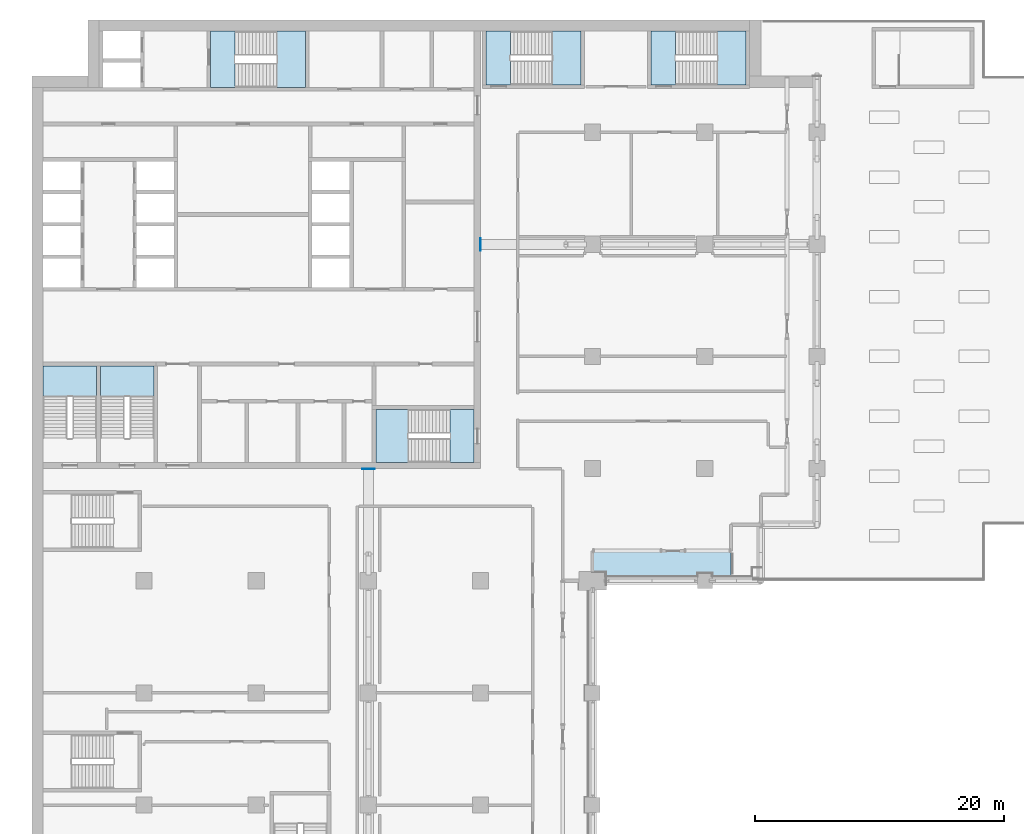
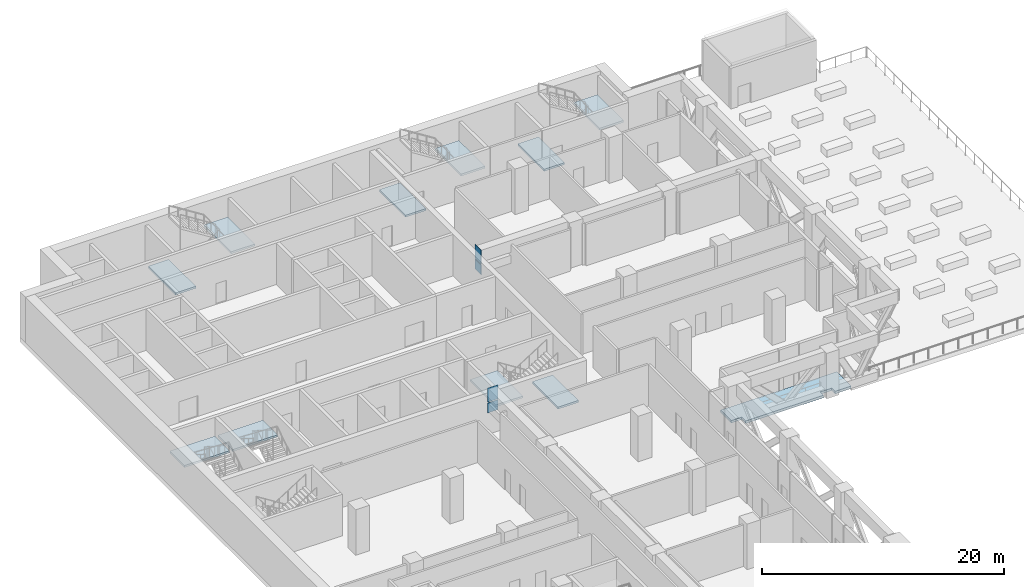
# One storey, part 5 of 22: 11 slabs, 4 plates, 6 elements without a shape of their own.
"""IFC4 building model written with IfcOpenShell, lengths in metres."""

from ifc_helpers import new_model, si_unit, direction, frame, origin, origin_2d, place, context, subcontext, project, spatial, polyline, rectangle, outline, extrude, material, layer, layer_set, type_object, element, aggregate, save


model = new_model("IFC4")

# Units and contexts
model_context = context("Model", 3, precision=1e-05, world=origin(), true_north=direction((0.0, 1.0)))
body_context = subcontext(model_context, "Body", "Model", "MODEL_VIEW")
ifc_project = project(units=[si_unit("LENGTHUNIT", "METRE"), si_unit("AREAUNIT", "SQUARE_METRE"), si_unit("VOLUMEUNIT", "CUBIC_METRE"), si_unit("PLANEANGLEUNIT", "RADIAN"), si_unit("MASSUNIT", "GRAM", prefix="KILO")], contexts=[model_context])

# Site, building, storey
site_placement = place(None, origin())
site = spatial("IfcSite", under=ifc_project, at=site_placement, CompositionType="ELEMENT")
building_placement = place(site_placement, origin())
building = spatial("IfcBuilding", under=site, at=building_placement, Name="Hunhe Ridgeline Campus", CompositionType="ELEMENT")
storey_placement = place(building_placement, frame((0.0, 0.0, 129.199951171875)))
storey = spatial("IfcBuildingStorey", under=building, at=storey_placement, Name="L32", CompositionType="ELEMENT", Elevation=129.199951171875)

# Plates
ifc_material_1 = material(Name="Steel Q420", Category="steel")
ifc_layer_1 = layer(ifc_material_1, 0.0400390625)
ifc_layer_set_1 = layer_set([ifc_layer_1], Name="Cast-in plate 1000x1000x40 Steel Q420")
plate_type_1 = type_object("IfcPlateType", Name="Cast-in plate 1000x1000x40 Steel Q420", PredefinedType="SHEET", material=ifc_layer_set_1)
for number, where, z_axis, x_axis, name in (
    (1, (36.02001953125, 81.0, 2.199951171875), (0.0, 0.0, 1.0), (1.0, 0.0, 0.0), "Cast-in plate OR1 bottom chord L32"),
    (2, (27.0, 62.97998046875, 2.199951171875), (0.0, 0.0, 1.0), (0.0, -1.0, 0.0), "Cast-in plate OR2 bottom chord L32"),
):
    element("IfcPlate", number, at=place(storey_placement, frame(where, z_axis=z_axis, x_axis=x_axis)), inside=storey, type_object=plate_type_1, Name=name, PredefinedType="SHEET", context=body_context, shape_type="SweptSolid", body=[
        extrude(rectangle(XDim=0.0400390625, YDim=1.0, at=origin_2d()), origin(), (0.0, 0.0, 1.0), 1.0),
    ])
ifc_layer_2 = layer(ifc_material_1, 0.0400390625)
ifc_layer_set_2 = layer_set([ifc_layer_2], Name="Cast-in plate 1000x1400x40 Steel Q420")
plate_type_2 = type_object("IfcPlateType", Name="Cast-in plate 1000x1400x40 Steel Q420", PredefinedType="SHEET", material=ifc_layer_set_2)
for number, where, z_axis, x_axis, name in (
    (3, (36.02001953125, 81.0, 3.300048828125), (0.0, 0.0, 1.0), (1.0, 0.0, 0.0), "Cast-in plate OR1 top chord L32"),
    (4, (27.0, 62.97998046875, 3.300048828125), (0.0, 0.0, 1.0), (0.0, -1.0, 0.0), "Cast-in plate OR2 top chord L32"),
):
    element("IfcPlate", number, at=place(storey_placement, frame(where, z_axis=z_axis, x_axis=x_axis)), inside=storey, type_object=plate_type_2, Name=name, PredefinedType="SHEET", context=body_context, shape_type="SweptSolid", body=[
        extrude(rectangle(XDim=0.0400390625, YDim=1.0, at=origin_2d()), origin(), (0.0, 0.0, 1.0), 1.39990234375),
    ])

# Slab
ifc_material_2 = material(Name="Concrete C40", Category="concrete")
ifc_layer_3 = layer(ifc_material_2, 0.25)
ifc_layer_set_3 = layer_set([ifc_layer_3], Name="Loggia slab 250 Concrete C40")
slab_type_1 = type_object("IfcSlabType", Name="Loggia slab 250 Concrete C40", PredefinedType="FLOOR", material=ifc_layer_set_3)
slab_1_placement = place(storey_placement, frame((0.0, 0.0, -0.25)))
element("IfcSlab", 5, at=slab_1_placement, inside=storey, type_object=slab_type_1, Name="Loggia slab 2", PredefinedType="FLOOR", context=body_context, shape_type="SweptSolid", body=[
    extrude(outline(polyline([(45.0, 56.39990234375), (45.0, 54.64990234375), (46.0, 54.64990234375), (46.0, 54.0), (53.449951171875, 54.0), (53.449951171875, 54.550048828125), (54.550048828125, 54.550048828125), (54.550048828125, 54.0), (56.094970703125, 54.0), (56.094970703125, 56.39990234375), (45.0, 56.39990234375)])), origin(), (0.0, 0.0, 1.0), 0.25),
])

# Stair, slab
stair_type = type_object("IfcStairType", Name="Reinforced concrete dog-leg stair 1950 Concrete C40", PredefinedType="HALF_TURN_STAIR", material=ifc_material_2)
stair_1_placement = place(storey_placement, origin())
stair_1 = element("IfcStair", 6, at=stair_1_placement, inside=storey, type_object=stair_type, Name="L32 S1", PredefinedType="HALF_TURN_STAIR")
ifc_layer_4 = layer(ifc_material_2, 0.199951171875)
ifc_layer_set_4 = layer_set([ifc_layer_4], Name="Reinforced concrete stair landing 200 Concrete C40")
slab_type_2 = type_object("IfcSlabType", Name="Reinforced concrete stair landing 200 Concrete C40", PredefinedType="LANDING", material=ifc_layer_set_4)
slab_2_placement = place(storey_placement, frame((0.0, 0.0, 2.10009765625)))
slab_2 = element("IfcSlab", 7, at=slab_2_placement, type_object=slab_type_2, Name="ST1 landing 1", PredefinedType="LANDING", context=body_context, shape_type="SweptSolid", body=[
    extrude(outline(polyline([(19.659912109375, 93.60009765625), (21.949951171875, 93.60009765625), (21.949951171875, 98.10009765625), (19.659912109375, 98.10009765625), (19.659912109375, 93.60009765625)])), origin(), (0.0, 0.0, 1.0), 0.199951171875),
])
aggregate(stair_1, [slab_2])

# Slab
slab_3_placement = place(storey_placement, frame((0.0, 0.0, -0.199951171875)))
element("IfcSlab", 8, at=slab_3_placement, inside=storey, type_object=slab_type_2, Name="L32 stair S1 floor landing", PredefinedType="LANDING", context=body_context, shape_type="SweptSolid", body=[
    extrude(outline(polyline([(14.35009765625, 93.60009765625), (16.300048828125, 93.60009765625), (16.300048828125, 98.10009765625), (14.35009765625, 98.10009765625), (14.35009765625, 93.60009765625)])), origin(), (0.0, 0.0, 1.0), 0.199951171875),
])

# Stair, slab
stair_2_placement = place(storey_placement, origin())
stair_2 = element("IfcStair", 9, at=stair_2_placement, inside=storey, type_object=stair_type, Name="L32 S2", PredefinedType="HALF_TURN_STAIR")
slab_4_placement = place(storey_placement, frame((0.0, 0.0, 2.10009765625)))
slab_4 = element("IfcSlab", 10, at=slab_4_placement, type_object=slab_type_2, Name="ST2 landing 1", PredefinedType="LANDING", context=body_context, shape_type="SweptSolid", body=[
    extrude(outline(polyline([(30.18994140625, 67.75), (27.60009765625, 67.75), (27.60009765625, 63.5), (30.18994140625, 63.5), (30.18994140625, 67.75)])), origin(), (0.0, 0.0, 1.0), 0.199951171875),
])
aggregate(stair_2, [slab_4])

# Slab
slab_5_placement = place(storey_placement, frame((0.0, 0.0, -0.199951171875)))
element("IfcSlab", 11, at=slab_5_placement, inside=storey, type_object=slab_type_2, Name="L32 stair S2 floor landing", PredefinedType="LANDING", context=body_context, shape_type="SweptSolid", body=[
    extrude(outline(polyline([(35.5, 67.75), (33.550048828125, 67.75), (33.550048828125, 63.5), (35.5, 63.5), (35.5, 67.75)])), origin(), (0.0, 0.0, 1.0), 0.199951171875),
])

# Stair, slab
stair_3_placement = place(storey_placement, origin())
stair_3 = element("IfcStair", 12, at=stair_3_placement, inside=storey, type_object=stair_type, Name="L32 S3", PredefinedType="HALF_TURN_STAIR")
slab_6_placement = place(storey_placement, frame((0.0, 0.0, 2.10009765625)))
slab_6 = element("IfcSlab", 13, at=slab_6_placement, type_object=slab_type_2, Name="ST3 landing 1", PredefinedType="LANDING", context=body_context, shape_type="SweptSolid", body=[
    extrude(outline(polyline([(5.199951171875, 68.81005859375), (5.199951171875, 71.25), (0.89990234375, 71.25), (0.89990234375, 68.81005859375), (5.199951171875, 68.81005859375)])), origin(), (0.0, 0.0, 1.0), 0.199951171875),
])
aggregate(stair_3, [slab_6])

stair_4_placement = place(storey_placement, origin())
stair_4 = element("IfcStair", 14, at=stair_4_placement, inside=storey, type_object=stair_type, Name="L32 S4", PredefinedType="HALF_TURN_STAIR")
slab_7_placement = place(storey_placement, frame((0.0, 0.0, 2.10009765625)))
slab_7 = element("IfcSlab", 15, at=slab_7_placement, type_object=slab_type_2, Name="ST4 landing 1", PredefinedType="LANDING", context=body_context, shape_type="SweptSolid", body=[
    extrude(outline(polyline([(9.800048828125, 68.81005859375), (9.800048828125, 71.25), (5.5, 71.25), (5.5, 68.81005859375), (9.800048828125, 68.81005859375)])), origin(), (0.0, 0.0, 1.0), 0.199951171875),
])
aggregate(stair_4, [slab_7])

stair_5_placement = place(storey_placement, origin())
stair_5 = element("IfcStair", 16, at=stair_5_placement, inside=storey, type_object=stair_type, Name="L32 E1", PredefinedType="HALF_TURN_STAIR")
slab_8_placement = place(storey_placement, frame((0.0, 0.0, 2.10009765625)))
slab_8 = element("IfcSlab", 17, at=slab_8_placement, type_object=slab_type_2, Name="ST5 landing 1", PredefinedType="LANDING", context=body_context, shape_type="SweptSolid", body=[
    extrude(outline(polyline([(41.760009765625, 93.800048828125), (44.050048828125, 93.800048828125), (44.050048828125, 98.10009765625), (41.760009765625, 98.10009765625), (41.760009765625, 93.800048828125)])), origin(), (0.0, 0.0, 1.0), 0.199951171875),
])
aggregate(stair_5, [slab_8])

# Slab
slab_9_placement = place(storey_placement, frame((0.0, 0.0, -0.199951171875)))
element("IfcSlab", 18, at=slab_9_placement, inside=storey, type_object=slab_type_2, Name="L32 stair E1 floor landing", PredefinedType="LANDING", context=body_context, shape_type="SweptSolid", body=[
    extrude(outline(polyline([(36.449951171875, 93.800048828125), (38.39990234375, 93.800048828125), (38.39990234375, 98.10009765625), (36.449951171875, 98.10009765625), (36.449951171875, 93.800048828125)])), origin(), (0.0, 0.0, 1.0), 0.199951171875),
])

# Stair, slab
stair_6_placement = place(storey_placement, origin())
stair_6 = element("IfcStair", 19, at=stair_6_placement, inside=storey, type_object=stair_type, Name="L32 E2", PredefinedType="HALF_TURN_STAIR")
slab_10_placement = place(storey_placement, frame((0.0, 0.0, 2.10009765625)))
slab_10 = element("IfcSlab", 20, at=slab_10_placement, type_object=slab_type_2, Name="ST6 landing 1", PredefinedType="LANDING", context=body_context, shape_type="SweptSolid", body=[
    extrude(outline(polyline([(55.010009765625, 93.800048828125), (57.300048828125, 93.800048828125), (57.300048828125, 98.10009765625), (55.010009765625, 98.10009765625), (55.010009765625, 93.800048828125)])), origin(), (0.0, 0.0, 1.0), 0.199951171875),
])
aggregate(stair_6, [slab_10])

# Slab
slab_11_placement = place(storey_placement, frame((0.0, 0.0, -0.199951171875)))
element("IfcSlab", 21, at=slab_11_placement, inside=storey, type_object=slab_type_2, Name="L32 stair E2 floor landing", PredefinedType="LANDING", context=body_context, shape_type="SweptSolid", body=[
    extrude(outline(polyline([(49.699951171875, 93.800048828125), (51.64990234375, 93.800048828125), (51.64990234375, 98.10009765625), (49.699951171875, 98.10009765625), (49.699951171875, 93.800048828125)])), origin(), (0.0, 0.0, 1.0), 0.199951171875),
])

save(model, "model.ifc")
